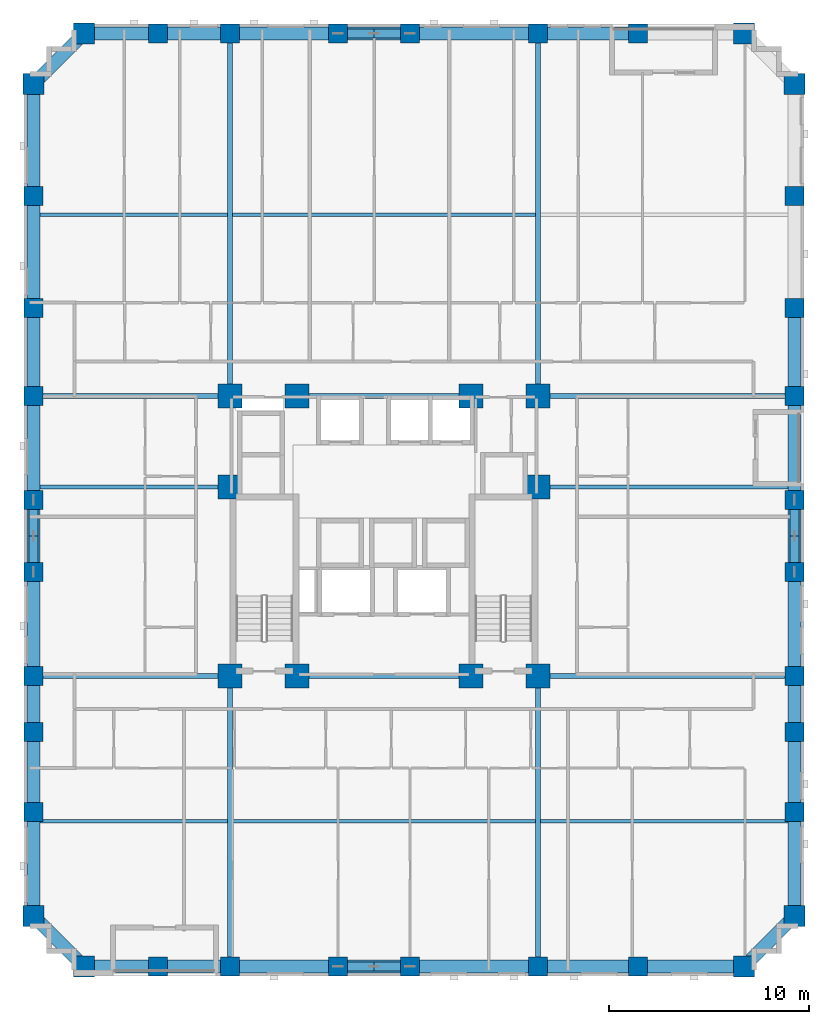
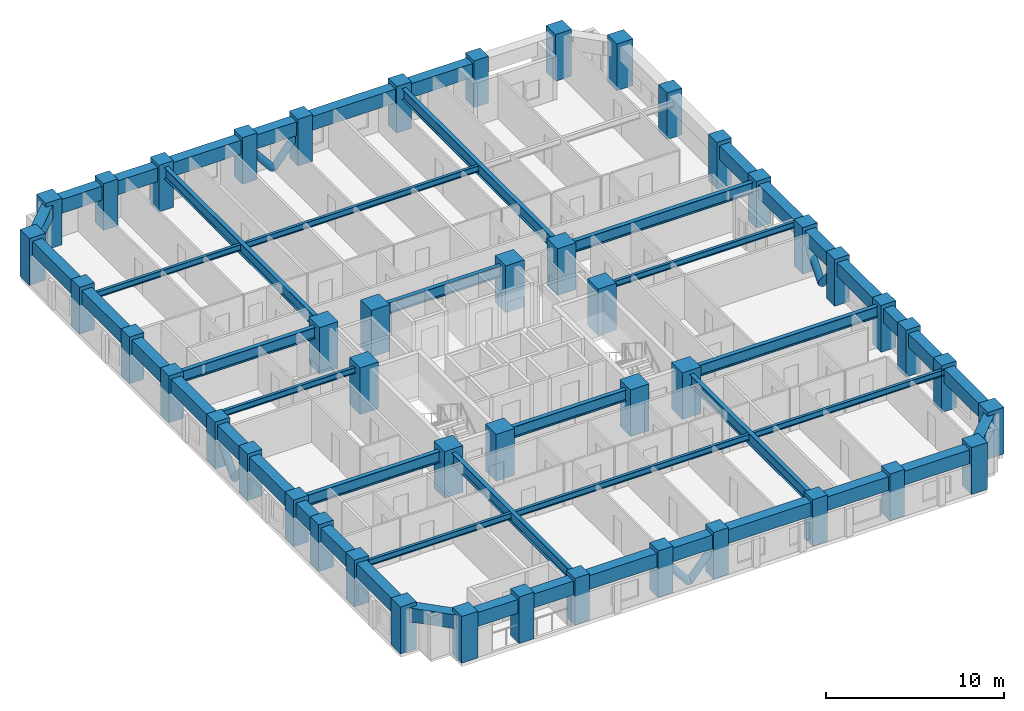
# One storey, part 1 of 13: 49 beams, 46 columns, 8 members.
"""IFC4 building model written with IfcOpenShell, lengths in metres."""

from ifc_helpers import new_model, si_unit, derived_unit, direction, frame, origin, origin_2d, place, context, subcontext, project, spatial, rectangle, hollow_circle, i_section, extrude, material, material_profile, profile_set, type_object, element, save


model = new_model("IFC4")

# Units and contexts
model_context = context("Model", 3, precision=1e-05, world=origin(), true_north=direction((0.0, 1.0)))
body_context = subcontext(model_context, "Body", "Model", "MODEL_VIEW")
ifc_project = project(units=[si_unit("LENGTHUNIT", "METRE"), si_unit("AREAUNIT", "SQUARE_METRE"), si_unit("VOLUMEUNIT", "CUBIC_METRE"), si_unit("PLANEANGLEUNIT", "RADIAN"), si_unit("MASSUNIT", "GRAM", prefix="KILO"), derived_unit("THERMALTRANSMITTANCEUNIT", [(si_unit("MASSUNIT", "GRAM", prefix="KILO"), 1), (si_unit("TIMEUNIT", "SECOND"), -3), (si_unit("THERMODYNAMICTEMPERATUREUNIT", "KELVIN"), -1)])], contexts=[model_context])

# Site, building, storey
site_placement = place(None, origin())
site = spatial("IfcSite", under=ifc_project, at=site_placement, CompositionType="ELEMENT")
building_placement = place(site_placement, origin())
building = spatial("IfcBuilding", under=site, at=building_placement, Name="Korrvale Station Residences", CompositionType="ELEMENT")
storey_placement = place(building_placement, frame((0.0, 0.0, 32.199951171875)))
storey = spatial("IfcBuildingStorey", under=building, at=storey_placement, Name="L07", CompositionType="ELEMENT", Elevation=32.199951171875)

# Columns
ifc_material_1 = material(Name="Concrete C70/85", Category="concrete")
ifc_material_profile_1 = material_profile(ifc_material_1, rectangle(XDim=1.050048828125, YDim=1.050048828125, at=origin_2d()), Name="RC1050x1050")
ifc_profile_set_1 = profile_set([ifc_material_profile_1], Name="Concrete C70/85")
column_type_1 = type_object("IfcColumnType", Name="COL-C-RC1050x1050-C7085", PredefinedType="COLUMN", material=ifc_profile_set_1)
for number, where, z_axis, x_axis, name in (
    (1, (10.5, 0.47998046875, 0.0), (0.0, 0.0, 1.0), (1.0, 0.0, 0.0), "L07 Bundled-Tube South Column 01"),
    (2, (43.5, 0.47998046875, 0.0), (0.0, 0.0, 1.0), (1.0, 0.0, 0.0), "L07 Bundled-Tube South Column 08"),
    (3, (10.5, 47.1201171875, 0.0), (0.0, 0.0, 1.0), (1.0, 0.0, 0.0), "L07 Bundled-Tube North Column 09"),
    (4, (43.5, 47.1201171875, 0.0), (0.0, 0.0, 1.0), (1.0, 0.0, 0.0), "L07 Bundled-Tube North Column 16"),
    (5, (7.97998046875, 3.0, 0.0), (0.0, 0.0, 1.0), (1.0, 0.0, 0.0), "L07 Bundled-Tube West Column 17"),
    (6, (7.97998046875, 44.60009765625, 0.0), (0.0, 0.0, 1.0), (1.0, 0.0, 0.0), "L07 Bundled-Tube West Column 26"),
    (7, (46.02001953125, 3.0, 0.0), (0.0, 0.0, 1.0), (1.0, 0.0, 0.0), "L07 Bundled-Tube East Column 27"),
    (8, (46.02001953125, 44.60009765625, 0.0), (0.0, 0.0, 1.0), (1.0, 0.0, 0.0), "L07 Bundled-Tube East Column 36"),
):
    element("IfcColumn", number, at=place(storey_placement, frame(where, z_axis=z_axis, x_axis=x_axis)), inside=storey, type_object=column_type_1, Name=name, PredefinedType="COLUMN", context=body_context, shape_type="SweptSolid", body=[
        extrude(rectangle(XDim=1.050048828125, YDim=1.050048828125, at=origin_2d()), origin(), (0.0, 0.0, 1.0), 3.199951171875),
    ])
ifc_material_profile_2 = material_profile(ifc_material_1, rectangle(XDim=1.199951171875, YDim=1.199951171875, at=origin_2d()), Name="RC1200x1200")
ifc_profile_set_2 = profile_set([ifc_material_profile_2], Name="Concrete C70/85")
column_type_2 = type_object("IfcColumnType", Name="COL-C-RC1200x1200-C7085", PredefinedType="COLUMN", material=ifc_profile_set_2)
for number, where, z_axis, x_axis, name in (
    (9, (17.800048828125, 15.0, 0.0), (0.0, 0.0, 1.0), (1.0, 0.0, 0.0), "L07 Core Column 01"),
    (10, (21.14990234375, 15.0, 0.0), (0.0, 0.0, 1.0), (1.0, 0.0, 0.0), "L07 Core Column 02"),
    (11, (29.85009765625, 15.0, 0.0), (0.0, 0.0, 1.0), (1.0, 0.0, 0.0), "L07 Core Column 03"),
    (12, (33.199951171875, 15.0, 0.0), (0.0, 0.0, 1.0), (1.0, 0.0, 0.0), "L07 Core Column 04"),
    (13, (17.800048828125, 29.0, 0.0), (0.0, 0.0, 1.0), (1.0, 0.0, 0.0), "L07 Core Column 05"),
    (14, (21.14990234375, 29.0, 0.0), (0.0, 0.0, 1.0), (1.0, 0.0, 0.0), "L07 Core Column 06"),
    (15, (29.85009765625, 29.0, 0.0), (0.0, 0.0, 1.0), (1.0, 0.0, 0.0), "L07 Core Column 07"),
    (16, (33.199951171875, 29.0, 0.0), (0.0, 0.0, 1.0), (1.0, 0.0, 0.0), "L07 Core Column 08"),
    (17, (17.800048828125, 24.449951171875, 0.0), (0.0, 0.0, 1.0), (1.0, 0.0, 0.0), "L07 Core Column 09"),
    (18, (33.199951171875, 24.449951171875, 0.0), (0.0, 0.0, 1.0), (1.0, 0.0, 0.0), "L07 Core Column 10"),
):
    element("IfcColumn", number, at=place(storey_placement, frame(where, z_axis=z_axis, x_axis=x_axis)), inside=storey, type_object=column_type_2, Name=name, PredefinedType="COLUMN", context=body_context, shape_type="SweptSolid", body=[
        extrude(rectangle(XDim=1.199951171875, YDim=1.199951171875, at=origin_2d()), origin(), (0.0, 0.0, 1.0), 3.199951171875),
    ])
ifc_material_profile_3 = material_profile(ifc_material_1, rectangle(XDim=0.949951171875, YDim=0.949951171875, at=origin_2d()), Name="RC950x950")
ifc_profile_set_3 = profile_set([ifc_material_profile_3], Name="Concrete C70/85")
column_type_3 = type_object("IfcColumnType", Name="COL-C-RC950x950-C7085", PredefinedType="COLUMN", material=ifc_profile_set_3)
for number, where, z_axis, x_axis, name in (
    (19, (14.199951171875, 0.47998046875, 0.0), (0.0, 0.0, 1.0), (1.0, 0.0, 0.0), "L07 Bundled-Tube South Column 02"),
    (20, (17.800048828125, 0.47998046875, 0.0), (0.0, 0.0, 1.0), (1.0, 0.0, 0.0), "L07 Bundled-Tube South Column 03"),
    (21, (23.199951171875, 0.47998046875, 0.0), (0.0, 0.0, 1.0), (1.0, 0.0, 0.0), "L07 Bundled-Tube South Column 04"),
    (22, (26.800048828125, 0.47998046875, 0.0), (0.0, 0.0, 1.0), (1.0, 0.0, 0.0), "L07 Bundled-Tube South Column 05"),
    (23, (33.199951171875, 0.47998046875, 0.0), (0.0, 0.0, 1.0), (1.0, 0.0, 0.0), "L07 Bundled-Tube South Column 06"),
    (24, (38.199951171875, 0.47998046875, 0.0), (0.0, 0.0, 1.0), (1.0, 0.0, 0.0), "L07 Bundled-Tube South Column 07"),
    (25, (14.199951171875, 47.1201171875, 0.0), (0.0, 0.0, 1.0), (1.0, 0.0, 0.0), "L07 Bundled-Tube North Column 10"),
    (26, (17.800048828125, 47.1201171875, 0.0), (0.0, 0.0, 1.0), (1.0, 0.0, 0.0), "L07 Bundled-Tube North Column 11"),
    (27, (23.199951171875, 47.1201171875, 0.0), (0.0, 0.0, 1.0), (1.0, 0.0, 0.0), "L07 Bundled-Tube North Column 12"),
    (28, (26.800048828125, 47.1201171875, 0.0), (0.0, 0.0, 1.0), (1.0, 0.0, 0.0), "L07 Bundled-Tube North Column 13"),
    (29, (33.199951171875, 47.1201171875, 0.0), (0.0, 0.0, 1.0), (1.0, 0.0, 0.0), "L07 Bundled-Tube North Column 14"),
    (30, (38.199951171875, 47.1201171875, 0.0), (0.0, 0.0, 1.0), (1.0, 0.0, 0.0), "L07 Bundled-Tube North Column 15"),
    (31, (7.97998046875, 8.199951171875, 0.0), (0.0, 0.0, 1.0), (1.0, 0.0, 0.0), "L07 Bundled-Tube West Column 18"),
    (32, (7.97998046875, 12.199951171875, 0.0), (0.0, 0.0, 1.0), (1.0, 0.0, 0.0), "L07 Bundled-Tube West Column 19"),
    (33, (7.97998046875, 15.0, 0.0), (0.0, 0.0, 1.0), (1.0, 0.0, 0.0), "L07 Bundled-Tube West Column 20"),
    (34, (7.97998046875, 20.199951171875, 0.0), (0.0, 0.0, 1.0), (1.0, 0.0, 0.0), "L07 Bundled-Tube West Column 21"),
    (35, (7.97998046875, 23.800048828125, 0.0), (0.0, 0.0, 1.0), (1.0, 0.0, 0.0), "L07 Bundled-Tube West Column 22"),
    (36, (7.97998046875, 29.0, 0.0), (0.0, 0.0, 1.0), (1.0, 0.0, 0.0), "L07 Bundled-Tube West Column 23"),
    (37, (7.97998046875, 33.39990234375, 0.0), (0.0, 0.0, 1.0), (1.0, 0.0, 0.0), "L07 Bundled-Tube West Column 24"),
    (38, (7.97998046875, 39.0, 0.0), (0.0, 0.0, 1.0), (1.0, 0.0, 0.0), "L07 Bundled-Tube West Column 25"),
    (39, (46.02001953125, 8.199951171875, 0.0), (0.0, 0.0, 1.0), (1.0, 0.0, 0.0), "L07 Bundled-Tube East Column 28"),
    (40, (46.02001953125, 12.199951171875, 0.0), (0.0, 0.0, 1.0), (1.0, 0.0, 0.0), "L07 Bundled-Tube East Column 29"),
    (41, (46.02001953125, 15.0, 0.0), (0.0, 0.0, 1.0), (1.0, 0.0, 0.0), "L07 Bundled-Tube East Column 30"),
    (42, (46.02001953125, 20.199951171875, 0.0), (0.0, 0.0, 1.0), (1.0, 0.0, 0.0), "L07 Bundled-Tube East Column 31"),
    (43, (46.02001953125, 23.800048828125, 0.0), (0.0, 0.0, 1.0), (1.0, 0.0, 0.0), "L07 Bundled-Tube East Column 32"),
    (44, (46.02001953125, 29.0, 0.0), (0.0, 0.0, 1.0), (1.0, 0.0, 0.0), "L07 Bundled-Tube East Column 33"),
    (45, (46.02001953125, 33.39990234375, 0.0), (0.0, 0.0, 1.0), (1.0, 0.0, 0.0), "L07 Bundled-Tube East Column 34"),
    (46, (46.02001953125, 39.0, 0.0), (0.0, 0.0, 1.0), (1.0, 0.0, 0.0), "L07 Bundled-Tube East Column 35"),
):
    element("IfcColumn", number, at=place(storey_placement, frame(where, z_axis=z_axis, x_axis=x_axis)), inside=storey, type_object=column_type_3, Name=name, PredefinedType="COLUMN", context=body_context, shape_type="SweptSolid", body=[
        extrude(rectangle(XDim=0.949951171875, YDim=0.949951171875, at=origin_2d()), origin(), (0.0, 0.0, 1.0), 3.199951171875),
    ])

# Beams
ifc_material_2 = material(Name="Steel S355", Category="steel")
ifc_material_profile_4 = material_profile(ifc_material_2, i_section(OverallWidth=0.26806640625, OverallDepth=0.77001953125, WebThickness=0.015625, FlangeThickness=0.025390625, FilletRadius=0.02197265625, at=origin_2d()), Name="W760x196")
ifc_profile_set_4 = profile_set([ifc_material_profile_4], Name="Steel S355")
beam_type_1 = type_object("IfcBeamType", Name="BM-BM-W760x196-S355", PredefinedType="BEAM", material=ifc_profile_set_4)
for number, where, z_axis, x_axis, name in (
    (47, (17.800048828125, 0.47998046875, 2.554931640625), (0.0, 1.0, 0.0), (-1.0, 0.0, 0.0), "L07 Bundled-Tube Web Girder 01"),
    (48, (33.199951171875, 0.47998046875, 2.554931640625), (0.0, 1.0, 0.0), (-1.0, 0.0, 0.0), "L07 Bundled-Tube Web Girder 02"),
):
    element("IfcBeam", number, at=place(storey_placement, frame(where, z_axis=z_axis, x_axis=x_axis)), inside=storey, type_object=beam_type_1, Name=name, PredefinedType="BEAM", context=body_context, shape_type="SweptSolid", body=[
        extrude(i_section(OverallWidth=0.26806640625, OverallDepth=0.77001953125, WebThickness=0.015625, FlangeThickness=0.025390625, FilletRadius=0.02197265625, at=origin_2d()), origin(), (0.0, 0.0, 1.0), 14.52001953125),
    ])
for number, where, z_axis, x_axis, name in (
    (49, (17.800048828125, 29.0, 2.554931640625), (0.0, 1.0, 0.0), (-1.0, 0.0, 0.0), "L07 Bundled-Tube Web Girder 03"),
    (50, (33.199951171875, 29.0, 2.554931640625), (0.0, 1.0, 0.0), (-1.0, 0.0, 0.0), "L07 Bundled-Tube Web Girder 04"),
):
    element("IfcBeam", number, at=place(storey_placement, frame(where, z_axis=z_axis, x_axis=x_axis)), inside=storey, type_object=beam_type_1, Name=name, PredefinedType="BEAM", context=body_context, shape_type="SweptSolid", body=[
        extrude(i_section(OverallWidth=0.26806640625, OverallDepth=0.77001953125, WebThickness=0.015625, FlangeThickness=0.025390625, FilletRadius=0.02197265625, at=origin_2d()), origin(), (0.0, 0.0, 1.0), 18.1201171875),
    ])
beam_1_placement = place(storey_placement, frame((7.97998046875, 15.0, 2.554931640625), z_axis=(1.0, 0.0, 0.0), x_axis=(0.0, 1.0, 0.0)))
element("IfcBeam", 51, at=beam_1_placement, inside=storey, type_object=beam_type_1, Name="L07 Bundled-Tube Web Girder 05", PredefinedType="BEAM", context=body_context, shape_type="SweptSolid", body=[
    extrude(i_section(OverallWidth=0.26806640625, OverallDepth=0.77001953125, WebThickness=0.015625, FlangeThickness=0.025390625, FilletRadius=0.02197265625, at=origin_2d()), origin(), (0.0, 0.0, 1.0), 9.820068359375),
])
beam_2_placement = place(storey_placement, frame((33.199951171875, 15.0, 2.554931640625), z_axis=(1.0, 0.0, 0.0), x_axis=(0.0, 1.0, 0.0)))
element("IfcBeam", 52, at=beam_2_placement, inside=storey, type_object=beam_type_1, Name="L07 Bundled-Tube Web Girder 06", PredefinedType="BEAM", context=body_context, shape_type="SweptSolid", body=[
    extrude(i_section(OverallWidth=0.26806640625, OverallDepth=0.77001953125, WebThickness=0.015625, FlangeThickness=0.025390625, FilletRadius=0.02197265625, at=origin_2d()), origin(), (0.0, 0.0, 1.0), 12.820068359375),
])
beam_3_placement = place(storey_placement, frame((7.97998046875, 29.0, 2.554931640625), z_axis=(1.0, 0.0, 0.0), x_axis=(0.0, 1.0, 0.0)))
element("IfcBeam", 53, at=beam_3_placement, inside=storey, type_object=beam_type_1, Name="L07 Bundled-Tube Web Girder 07", PredefinedType="BEAM", context=body_context, shape_type="SweptSolid", body=[
    extrude(i_section(OverallWidth=0.26806640625, OverallDepth=0.77001953125, WebThickness=0.015625, FlangeThickness=0.025390625, FilletRadius=0.02197265625, at=origin_2d()), origin(), (0.0, 0.0, 1.0), 9.820068359375),
])
beam_4_placement = place(storey_placement, frame((33.199951171875, 29.0, 2.554931640625), z_axis=(1.0, 0.0, 0.0), x_axis=(0.0, 1.0, 0.0)))
element("IfcBeam", 54, at=beam_4_placement, inside=storey, type_object=beam_type_1, Name="L07 Bundled-Tube Web Girder 08", PredefinedType="BEAM", context=body_context, shape_type="SweptSolid", body=[
    extrude(i_section(OverallWidth=0.26806640625, OverallDepth=0.77001953125, WebThickness=0.015625, FlangeThickness=0.025390625, FilletRadius=0.02197265625, at=origin_2d()), origin(), (0.0, 0.0, 1.0), 12.820068359375),
])
for number, where, z_axis, x_axis, name in (
    (55, (21.14990234375, 15.0, 2.554931640625), (1.0, 0.0, 0.0), (0.0, 1.0, 0.0), "L07 Bundled-Tube Web Girder 09"),
    (56, (21.14990234375, 29.0, 2.554931640625), (1.0, 0.0, 0.0), (0.0, 1.0, 0.0), "L07 Bundled-Tube Web Girder 10"),
):
    element("IfcBeam", number, at=place(storey_placement, frame(where, z_axis=z_axis, x_axis=x_axis)), inside=storey, type_object=beam_type_1, Name=name, PredefinedType="BEAM", context=body_context, shape_type="SweptSolid", body=[
        extrude(i_section(OverallWidth=0.26806640625, OverallDepth=0.77001953125, WebThickness=0.015625, FlangeThickness=0.025390625, FilletRadius=0.02197265625, at=origin_2d()), origin(), (0.0, 0.0, 1.0), 8.7001953125),
    ])
ifc_material_profile_5 = material_profile(ifc_material_2, i_section(OverallWidth=0.180908203125, OverallDepth=0.4169921875, WebThickness=0.010986328125, FlangeThickness=0.018310546875, FilletRadius=0.01611328125, at=origin_2d()), Name="W410x85")
ifc_profile_set_5 = profile_set([ifc_material_profile_5], Name="Steel S355")
beam_type_2 = type_object("IfcBeamType", Name="BM-JST-W410x85-S355", PredefinedType="JOIST", material=ifc_profile_set_5)
beam_5_placement = place(storey_placement, frame((8.304931640625, 7.739990234375, 2.7314453125), z_axis=(1.0, 0.0, 0.0), x_axis=(0.0, 1.0, 0.0)))
element("IfcBeam", 57, at=beam_5_placement, inside=storey, type_object=beam_type_2, Name="L07 Floor Framing Joist 01", PredefinedType="JOIST", context=body_context, shape_type="SweptSolid", body=[
    extrude(i_section(OverallWidth=0.180908203125, OverallDepth=0.4169921875, WebThickness=0.010986328125, FlangeThickness=0.018310546875, FilletRadius=0.01611328125, at=origin_2d()), origin(), (0.0, 0.0, 1.0), 9.361083984375),
])
beam_6_placement = place(storey_placement, frame((17.93408203125, 7.739990234375, 2.7314453125), z_axis=(1.0, 0.0, 0.0), x_axis=(0.0, 1.0, 0.0)))
element("IfcBeam", 58, at=beam_6_placement, inside=storey, type_object=beam_type_2, Name="L07 Floor Framing Joist 02", PredefinedType="JOIST", context=body_context, shape_type="SweptSolid", body=[
    extrude(i_section(OverallWidth=0.180908203125, OverallDepth=0.4169921875, WebThickness=0.010986328125, FlangeThickness=0.018310546875, FilletRadius=0.01611328125, at=origin_2d()), origin(), (0.0, 0.0, 1.0), 15.1318359375),
])
beam_7_placement = place(storey_placement, frame((33.333984375, 7.739990234375, 2.7314453125), z_axis=(1.0, 0.0, 0.0), x_axis=(0.0, 1.0, 0.0)))
element("IfcBeam", 59, at=beam_7_placement, inside=storey, type_object=beam_type_2, Name="L07 Floor Framing Joist 03", PredefinedType="JOIST", context=body_context, shape_type="SweptSolid", body=[
    extrude(i_section(OverallWidth=0.180908203125, OverallDepth=0.4169921875, WebThickness=0.010986328125, FlangeThickness=0.018310546875, FilletRadius=0.01611328125, at=origin_2d()), origin(), (0.0, 0.0, 1.0), 12.361083984375),
])
beam_8_placement = place(storey_placement, frame((8.304931640625, 38.06005859375, 2.7314453125), z_axis=(1.0, 0.0, 0.0), x_axis=(0.0, 1.0, 0.0)))
element("IfcBeam", 60, at=beam_8_placement, inside=storey, type_object=beam_type_2, Name="L07 Floor Framing Joist 04", PredefinedType="JOIST", context=body_context, shape_type="SweptSolid", body=[
    extrude(i_section(OverallWidth=0.180908203125, OverallDepth=0.4169921875, WebThickness=0.010986328125, FlangeThickness=0.018310546875, FilletRadius=0.01611328125, at=origin_2d()), origin(), (0.0, 0.0, 1.0), 9.361083984375),
])
beam_9_placement = place(storey_placement, frame((17.93408203125, 38.06005859375, 2.7314453125), z_axis=(1.0, 0.0, 0.0), x_axis=(0.0, 1.0, 0.0)))
element("IfcBeam", 61, at=beam_9_placement, inside=storey, type_object=beam_type_2, Name="L07 Floor Framing Joist 05", PredefinedType="JOIST", context=body_context, shape_type="SweptSolid", body=[
    extrude(i_section(OverallWidth=0.180908203125, OverallDepth=0.4169921875, WebThickness=0.010986328125, FlangeThickness=0.018310546875, FilletRadius=0.01611328125, at=origin_2d()), origin(), (0.0, 0.0, 1.0), 15.1318359375),
])
beam_10_placement = place(storey_placement, frame((33.199951171875, 24.449951171875, 2.7314453125), z_axis=(1.0, 0.0, 0.0), x_axis=(0.0, 1.0, 0.0)))
element("IfcBeam", 62, at=beam_10_placement, inside=storey, type_object=beam_type_2, Name="L07 Floor Framing Joist 07", PredefinedType="JOIST", context=body_context, shape_type="SweptSolid", body=[
    extrude(i_section(OverallWidth=0.180908203125, OverallDepth=0.4169921875, WebThickness=0.010986328125, FlangeThickness=0.018310546875, FilletRadius=0.01611328125, at=origin_2d()), origin(), (0.0, 0.0, 1.0), 12.4951171875),
])
beam_11_placement = place(storey_placement, frame((8.304931640625, 24.449951171875, 2.7314453125), z_axis=(1.0, 0.0, 0.0), x_axis=(0.0, 1.0, 0.0)))
element("IfcBeam", 63, at=beam_11_placement, inside=storey, type_object=beam_type_2, Name="L07 Floor Framing Joist 08", PredefinedType="JOIST", context=body_context, shape_type="SweptSolid", body=[
    extrude(i_section(OverallWidth=0.180908203125, OverallDepth=0.4169921875, WebThickness=0.010986328125, FlangeThickness=0.018310546875, FilletRadius=0.01611328125, at=origin_2d()), origin(), (0.0, 0.0, 1.0), 9.4951171875),
])
ifc_material_profile_6 = material_profile(ifc_material_1, rectangle(XDim=0.64990234375, YDim=0.949951171875, at=origin_2d()), Name="RCB650x950")
ifc_profile_set_6 = profile_set([ifc_material_profile_6], Name="Concrete C70/85")
beam_type_3 = type_object("IfcBeamType", Name="BM-SPB-RCB650x950-C7085", PredefinedType="SPANDREL", material=ifc_profile_set_6)
beam_12_placement = place(storey_placement, frame((10.5, 0.47998046875, 2.465087890625), z_axis=(1.0, 0.0, 0.0), x_axis=(0.0, 1.0, 0.0)))
element("IfcBeam", 64, at=beam_12_placement, inside=storey, type_object=beam_type_3, Name="L07 South Tube Spandrel 01", PredefinedType="SPANDREL", context=body_context, shape_type="SweptSolid", body=[
    extrude(rectangle(XDim=0.64990234375, YDim=0.949951171875, at=origin_2d()), origin(), (0.0, 0.0, 1.0), 3.699951171875),
])
beam_13_placement = place(storey_placement, frame((14.199951171875, 0.47998046875, 2.465087890625), z_axis=(1.0, 0.0, 0.0), x_axis=(0.0, 1.0, 0.0)))
element("IfcBeam", 65, at=beam_13_placement, inside=storey, type_object=beam_type_3, Name="L07 South Tube Spandrel 02", PredefinedType="SPANDREL", context=body_context, shape_type="SweptSolid", body=[
    extrude(rectangle(XDim=0.64990234375, YDim=0.949951171875, at=origin_2d()), origin(), (0.0, 0.0, 1.0), 3.60009765625),
])
beam_14_placement = place(storey_placement, frame((17.800048828125, 0.47998046875, 2.465087890625), z_axis=(1.0, 0.0, 0.0), x_axis=(0.0, 1.0, 0.0)))
element("IfcBeam", 66, at=beam_14_placement, inside=storey, type_object=beam_type_3, Name="L07 South Tube Spandrel 03", PredefinedType="SPANDREL", context=body_context, shape_type="SweptSolid", body=[
    extrude(rectangle(XDim=0.64990234375, YDim=0.949951171875, at=origin_2d()), origin(), (0.0, 0.0, 1.0), 5.39990234375),
])
beam_15_placement = place(storey_placement, frame((23.199951171875, 0.47998046875, 2.465087890625), z_axis=(1.0, 0.0, 0.0), x_axis=(0.0, 1.0, 0.0)))
element("IfcBeam", 67, at=beam_15_placement, inside=storey, type_object=beam_type_3, Name="L07 South Tube Spandrel 04", PredefinedType="SPANDREL", context=body_context, shape_type="SweptSolid", body=[
    extrude(rectangle(XDim=0.64990234375, YDim=0.949951171875, at=origin_2d()), origin(), (0.0, 0.0, 1.0), 3.60009765625),
])
beam_16_placement = place(storey_placement, frame((26.800048828125, 0.47998046875, 2.465087890625), z_axis=(1.0, 0.0, 0.0), x_axis=(0.0, 1.0, 0.0)))
element("IfcBeam", 68, at=beam_16_placement, inside=storey, type_object=beam_type_3, Name="L07 South Tube Spandrel 05", PredefinedType="SPANDREL", context=body_context, shape_type="SweptSolid", body=[
    extrude(rectangle(XDim=0.64990234375, YDim=0.949951171875, at=origin_2d()), origin(), (0.0, 0.0, 1.0), 6.39990234375),
])
beam_17_placement = place(storey_placement, frame((33.199951171875, 0.47998046875, 2.465087890625), z_axis=(1.0, 0.0, 0.0), x_axis=(0.0, 1.0, 0.0)))
element("IfcBeam", 69, at=beam_17_placement, inside=storey, type_object=beam_type_3, Name="L07 South Tube Spandrel 06", PredefinedType="SPANDREL", context=body_context, shape_type="SweptSolid", body=[
    extrude(rectangle(XDim=0.64990234375, YDim=0.949951171875, at=origin_2d()), origin(), (0.0, 0.0, 1.0), 5.0),
])
beam_18_placement = place(storey_placement, frame((38.199951171875, 0.47998046875, 2.465087890625), z_axis=(1.0, 0.0, 0.0), x_axis=(0.0, 1.0, 0.0)))
element("IfcBeam", 70, at=beam_18_placement, inside=storey, type_object=beam_type_3, Name="L07 South Tube Spandrel 07", PredefinedType="SPANDREL", context=body_context, shape_type="SweptSolid", body=[
    extrude(rectangle(XDim=0.64990234375, YDim=0.949951171875, at=origin_2d()), origin(), (0.0, 0.0, 1.0), 5.300048828125),
])
beam_19_placement = place(storey_placement, frame((10.5, 47.1201171875, 2.465087890625), z_axis=(1.0, 0.0, 0.0), x_axis=(0.0, 1.0, 0.0)))
element("IfcBeam", 71, at=beam_19_placement, inside=storey, type_object=beam_type_3, Name="L07 North Tube Spandrel 08", PredefinedType="SPANDREL", context=body_context, shape_type="SweptSolid", body=[
    extrude(rectangle(XDim=0.64990234375, YDim=0.949951171875, at=origin_2d()), origin(), (0.0, 0.0, 1.0), 3.699951171875),
])
beam_20_placement = place(storey_placement, frame((14.199951171875, 47.1201171875, 2.465087890625), z_axis=(1.0, 0.0, 0.0), x_axis=(0.0, 1.0, 0.0)))
element("IfcBeam", 72, at=beam_20_placement, inside=storey, type_object=beam_type_3, Name="L07 North Tube Spandrel 09", PredefinedType="SPANDREL", context=body_context, shape_type="SweptSolid", body=[
    extrude(rectangle(XDim=0.64990234375, YDim=0.949951171875, at=origin_2d()), origin(), (0.0, 0.0, 1.0), 3.60009765625),
])
beam_21_placement = place(storey_placement, frame((17.800048828125, 47.1201171875, 2.465087890625), z_axis=(1.0, 0.0, 0.0), x_axis=(0.0, 1.0, 0.0)))
element("IfcBeam", 73, at=beam_21_placement, inside=storey, type_object=beam_type_3, Name="L07 North Tube Spandrel 10", PredefinedType="SPANDREL", context=body_context, shape_type="SweptSolid", body=[
    extrude(rectangle(XDim=0.64990234375, YDim=0.949951171875, at=origin_2d()), origin(), (0.0, 0.0, 1.0), 5.39990234375),
])
beam_22_placement = place(storey_placement, frame((23.199951171875, 47.1201171875, 2.465087890625), z_axis=(1.0, 0.0, 0.0), x_axis=(0.0, 1.0, 0.0)))
element("IfcBeam", 74, at=beam_22_placement, inside=storey, type_object=beam_type_3, Name="L07 North Tube Spandrel 11", PredefinedType="SPANDREL", context=body_context, shape_type="SweptSolid", body=[
    extrude(rectangle(XDim=0.64990234375, YDim=0.949951171875, at=origin_2d()), origin(), (0.0, 0.0, 1.0), 3.60009765625),
])
beam_23_placement = place(storey_placement, frame((26.800048828125, 47.1201171875, 2.465087890625), z_axis=(1.0, 0.0, 0.0), x_axis=(0.0, 1.0, 0.0)))
element("IfcBeam", 75, at=beam_23_placement, inside=storey, type_object=beam_type_3, Name="L07 North Tube Spandrel 12", PredefinedType="SPANDREL", context=body_context, shape_type="SweptSolid", body=[
    extrude(rectangle(XDim=0.64990234375, YDim=0.949951171875, at=origin_2d()), origin(), (0.0, 0.0, 1.0), 6.39990234375),
])
beam_24_placement = place(storey_placement, frame((33.199951171875, 47.1201171875, 2.465087890625), z_axis=(1.0, 0.0, 0.0), x_axis=(0.0, 1.0, 0.0)))
element("IfcBeam", 76, at=beam_24_placement, inside=storey, type_object=beam_type_3, Name="L07 North Tube Spandrel 13", PredefinedType="SPANDREL", context=body_context, shape_type="SweptSolid", body=[
    extrude(rectangle(XDim=0.64990234375, YDim=0.949951171875, at=origin_2d()), origin(), (0.0, 0.0, 1.0), 5.0),
])
beam_25_placement = place(storey_placement, frame((7.97998046875, 3.0, 2.465087890625), z_axis=(0.0, 1.0, 0.0), x_axis=(-1.0, 0.0, 0.0)))
element("IfcBeam", 77, at=beam_25_placement, inside=storey, type_object=beam_type_3, Name="L07 West Tube Spandrel 15", PredefinedType="SPANDREL", context=body_context, shape_type="SweptSolid", body=[
    extrude(rectangle(XDim=0.64990234375, YDim=0.949951171875, at=origin_2d()), origin(), (0.0, 0.0, 1.0), 5.199951171875),
])
beam_26_placement = place(storey_placement, frame((7.97998046875, 8.199951171875, 2.465087890625), z_axis=(0.0, 1.0, 0.0), x_axis=(-1.0, 0.0, 0.0)))
element("IfcBeam", 78, at=beam_26_placement, inside=storey, type_object=beam_type_3, Name="L07 West Tube Spandrel 16", PredefinedType="SPANDREL", context=body_context, shape_type="SweptSolid", body=[
    extrude(rectangle(XDim=0.64990234375, YDim=0.949951171875, at=origin_2d()), origin(), (0.0, 0.0, 1.0), 4.0),
])
beam_27_placement = place(storey_placement, frame((7.97998046875, 12.199951171875, 2.465087890625), z_axis=(0.0, 1.0, 0.0), x_axis=(-1.0, 0.0, 0.0)))
element("IfcBeam", 79, at=beam_27_placement, inside=storey, type_object=beam_type_3, Name="L07 West Tube Spandrel 17", PredefinedType="SPANDREL", context=body_context, shape_type="SweptSolid", body=[
    extrude(rectangle(XDim=0.64990234375, YDim=0.949951171875, at=origin_2d()), origin(), (0.0, 0.0, 1.0), 2.800048828125),
])
beam_28_placement = place(storey_placement, frame((7.97998046875, 15.0, 2.465087890625), z_axis=(0.0, 1.0, 0.0), x_axis=(-1.0, 0.0, 0.0)))
element("IfcBeam", 80, at=beam_28_placement, inside=storey, type_object=beam_type_3, Name="L07 West Tube Spandrel 18", PredefinedType="SPANDREL", context=body_context, shape_type="SweptSolid", body=[
    extrude(rectangle(XDim=0.64990234375, YDim=0.949951171875, at=origin_2d()), origin(), (0.0, 0.0, 1.0), 5.199951171875),
])
beam_29_placement = place(storey_placement, frame((7.97998046875, 20.199951171875, 2.465087890625), z_axis=(0.0, 1.0, 0.0), x_axis=(-1.0, 0.0, 0.0)))
element("IfcBeam", 81, at=beam_29_placement, inside=storey, type_object=beam_type_3, Name="L07 West Tube Spandrel 19", PredefinedType="SPANDREL", context=body_context, shape_type="SweptSolid", body=[
    extrude(rectangle(XDim=0.64990234375, YDim=0.949951171875, at=origin_2d()), origin(), (0.0, 0.0, 1.0), 3.60009765625),
])
beam_30_placement = place(storey_placement, frame((7.97998046875, 23.800048828125, 2.465087890625), z_axis=(0.0, 1.0, 0.0), x_axis=(-1.0, 0.0, 0.0)))
element("IfcBeam", 82, at=beam_30_placement, inside=storey, type_object=beam_type_3, Name="L07 West Tube Spandrel 20", PredefinedType="SPANDREL", context=body_context, shape_type="SweptSolid", body=[
    extrude(rectangle(XDim=0.64990234375, YDim=0.949951171875, at=origin_2d()), origin(), (0.0, 0.0, 1.0), 5.199951171875),
])
beam_31_placement = place(storey_placement, frame((7.97998046875, 29.0, 2.465087890625), z_axis=(0.0, 1.0, 0.0), x_axis=(-1.0, 0.0, 0.0)))
element("IfcBeam", 83, at=beam_31_placement, inside=storey, type_object=beam_type_3, Name="L07 West Tube Spandrel 21", PredefinedType="SPANDREL", context=body_context, shape_type="SweptSolid", body=[
    extrude(rectangle(XDim=0.64990234375, YDim=0.949951171875, at=origin_2d()), origin(), (0.0, 0.0, 1.0), 4.39990234375),
])
for number, where, z_axis, x_axis, name in (
    (84, (7.97998046875, 33.39990234375, 2.465087890625), (0.0, 1.0, 0.0), (-1.0, 0.0, 0.0), "L07 West Tube Spandrel 22"),
    (85, (7.97998046875, 39.0, 2.465087890625), (0.0, 1.0, 0.0), (-1.0, 0.0, 0.0), "L07 West Tube Spandrel 23"),
):
    element("IfcBeam", number, at=place(storey_placement, frame(where, z_axis=z_axis, x_axis=x_axis)), inside=storey, type_object=beam_type_3, Name=name, PredefinedType="SPANDREL", context=body_context, shape_type="SweptSolid", body=[
        extrude(rectangle(XDim=0.64990234375, YDim=0.949951171875, at=origin_2d()), origin(), (0.0, 0.0, 1.0), 5.60009765625),
    ])
beam_32_placement = place(storey_placement, frame((46.02001953125, 3.0, 2.465087890625), z_axis=(0.0, 1.0, 0.0), x_axis=(-1.0, 0.0, 0.0)))
element("IfcBeam", 86, at=beam_32_placement, inside=storey, type_object=beam_type_3, Name="L07 East Tube Spandrel 24", PredefinedType="SPANDREL", context=body_context, shape_type="SweptSolid", body=[
    extrude(rectangle(XDim=0.64990234375, YDim=0.949951171875, at=origin_2d()), origin(), (0.0, 0.0, 1.0), 5.199951171875),
])
beam_33_placement = place(storey_placement, frame((46.02001953125, 8.199951171875, 2.465087890625), z_axis=(0.0, 1.0, 0.0), x_axis=(-1.0, 0.0, 0.0)))
element("IfcBeam", 87, at=beam_33_placement, inside=storey, type_object=beam_type_3, Name="L07 East Tube Spandrel 25", PredefinedType="SPANDREL", context=body_context, shape_type="SweptSolid", body=[
    extrude(rectangle(XDim=0.64990234375, YDim=0.949951171875, at=origin_2d()), origin(), (0.0, 0.0, 1.0), 4.0),
])
beam_34_placement = place(storey_placement, frame((46.02001953125, 12.199951171875, 2.465087890625), z_axis=(0.0, 1.0, 0.0), x_axis=(-1.0, 0.0, 0.0)))
element("IfcBeam", 88, at=beam_34_placement, inside=storey, type_object=beam_type_3, Name="L07 East Tube Spandrel 26", PredefinedType="SPANDREL", context=body_context, shape_type="SweptSolid", body=[
    extrude(rectangle(XDim=0.64990234375, YDim=0.949951171875, at=origin_2d()), origin(), (0.0, 0.0, 1.0), 2.800048828125),
])
beam_35_placement = place(storey_placement, frame((46.02001953125, 15.0, 2.465087890625), z_axis=(0.0, 1.0, 0.0), x_axis=(-1.0, 0.0, 0.0)))
element("IfcBeam", 89, at=beam_35_placement, inside=storey, type_object=beam_type_3, Name="L07 East Tube Spandrel 27", PredefinedType="SPANDREL", context=body_context, shape_type="SweptSolid", body=[
    extrude(rectangle(XDim=0.64990234375, YDim=0.949951171875, at=origin_2d()), origin(), (0.0, 0.0, 1.0), 5.199951171875),
])
beam_36_placement = place(storey_placement, frame((46.02001953125, 20.199951171875, 2.465087890625), z_axis=(0.0, 1.0, 0.0), x_axis=(-1.0, 0.0, 0.0)))
element("IfcBeam", 90, at=beam_36_placement, inside=storey, type_object=beam_type_3, Name="L07 East Tube Spandrel 28", PredefinedType="SPANDREL", context=body_context, shape_type="SweptSolid", body=[
    extrude(rectangle(XDim=0.64990234375, YDim=0.949951171875, at=origin_2d()), origin(), (0.0, 0.0, 1.0), 3.60009765625),
])
beam_37_placement = place(storey_placement, frame((46.02001953125, 23.800048828125, 2.465087890625), z_axis=(0.0, 1.0, 0.0), x_axis=(-1.0, 0.0, 0.0)))
element("IfcBeam", 91, at=beam_37_placement, inside=storey, type_object=beam_type_3, Name="L07 East Tube Spandrel 29", PredefinedType="SPANDREL", context=body_context, shape_type="SweptSolid", body=[
    extrude(rectangle(XDim=0.64990234375, YDim=0.949951171875, at=origin_2d()), origin(), (0.0, 0.0, 1.0), 5.199951171875),
])
beam_38_placement = place(storey_placement, frame((46.02001953125, 29.0, 2.465087890625), z_axis=(0.0, 1.0, 0.0), x_axis=(-1.0, 0.0, 0.0)))
element("IfcBeam", 92, at=beam_38_placement, inside=storey, type_object=beam_type_3, Name="L07 East Tube Spandrel 30", PredefinedType="SPANDREL", context=body_context, shape_type="SweptSolid", body=[
    extrude(rectangle(XDim=0.64990234375, YDim=0.949951171875, at=origin_2d()), origin(), (0.0, 0.0, 1.0), 4.39990234375),
])
for number, where, z_axis, x_axis, name in (
    (93, (10.5, 0.47998046875, 2.465087890625), (-0.707106781187, 0.707106781187, 0.0), (-0.707106781187, -0.707106781187, 0.0), "L07 Serrated Corner Spandrel 33"),
    (94, (43.5, 0.47998046875, 2.465087890625), (0.707106781187, 0.707106781187, 0.0), (-0.707106781187, 0.707106781187, 0.0), "L07 Serrated Corner Spandrel 34"),
    (95, (10.5, 47.1201171875, 2.465087890625), (-0.707106781187, -0.707106781187, 0.0), (0.707106781187, -0.707106781187, 0.0), "L07 Serrated Corner Spandrel 36"),
):
    element("IfcBeam", number, at=place(storey_placement, frame(where, z_axis=z_axis, x_axis=x_axis)), inside=storey, type_object=beam_type_3, Name=name, PredefinedType="SPANDREL", context=body_context, shape_type="SweptSolid", body=[
        extrude(rectangle(XDim=0.64990234375, YDim=0.949951171875, at=origin_2d()), origin(), (0.0, 0.0, 1.0), 3.56396484375),
    ])

# Members
ifc_material_profile_7 = material_profile(ifc_material_2, hollow_circle(Radius=0.228515625, WallThickness=0.01904296875, at=origin_2d()), Name="HSS457x19")
ifc_profile_set_7 = profile_set([ifc_material_profile_7], Name="Steel S355")
member_type = type_object("IfcMemberType", Name="MBR-BR-HSS457x19", PredefinedType="BRACE", material=ifc_profile_set_7)
for number, where, z_axis, x_axis, name in (
    (96, (25.0, 0.47998046875, 0.02001953125), (-0.634985494602, 0.0, 0.772524058942), (0.0, -1.0, 0.0), "L07 S Perimeter Tube Wind Brace 1"),
    (97, (25.0, 0.47998046875, 0.02001953125), (0.634985494602, 0.0, 0.772524058942), (0.0, 1.0, 0.0), "L07 S Perimeter Tube Wind Brace 2"),
    (98, (25.0, 47.1201171875, 0.02001953125), (-0.634985494602, 0.0, 0.772524058942), (0.0, -1.0, 0.0), "L07 N Perimeter Tube Wind Brace 1"),
    (99, (25.0, 47.1201171875, 0.02001953125), (0.634985494602, 0.0, 0.772524058942), (0.0, 1.0, 0.0), "L07 N Perimeter Tube Wind Brace 2"),
    (100, (7.97998046875, 22.0, 0.02001953125), (0.0, -0.634985494602, 0.772524058942), (1.0, 0.0, 0.0), "L07 W Perimeter Tube Wind Brace 1"),
    (101, (7.97998046875, 22.0, 0.02001953125), (0.0, 0.634985494602, 0.772524058942), (-1.0, 0.0, 0.0), "L07 W Perimeter Tube Wind Brace 2"),
    (102, (46.02001953125, 22.0, 0.02001953125), (0.0, -0.634985494602, 0.772524058942), (1.0, 0.0, 0.0), "L07 E Perimeter Tube Wind Brace 1"),
    (103, (46.02001953125, 22.0, 0.02001953125), (0.0, 0.634985494602, 0.772524058942), (-1.0, 0.0, 0.0), "L07 E Perimeter Tube Wind Brace 2"),
):
    element("IfcMember", number, at=place(storey_placement, frame(where, z_axis=z_axis, x_axis=x_axis)), inside=storey, type_object=member_type, Name=name, PredefinedType="BRACE", context=body_context, shape_type="SweptSolid", body=[
        extrude(hollow_circle(Radius=0.228515625, WallThickness=0.01904296875, at=origin_2d()), origin(), (0.0, 0.0, 1.0), 2.834716796875),
    ])

save(model, "model.ifc")
